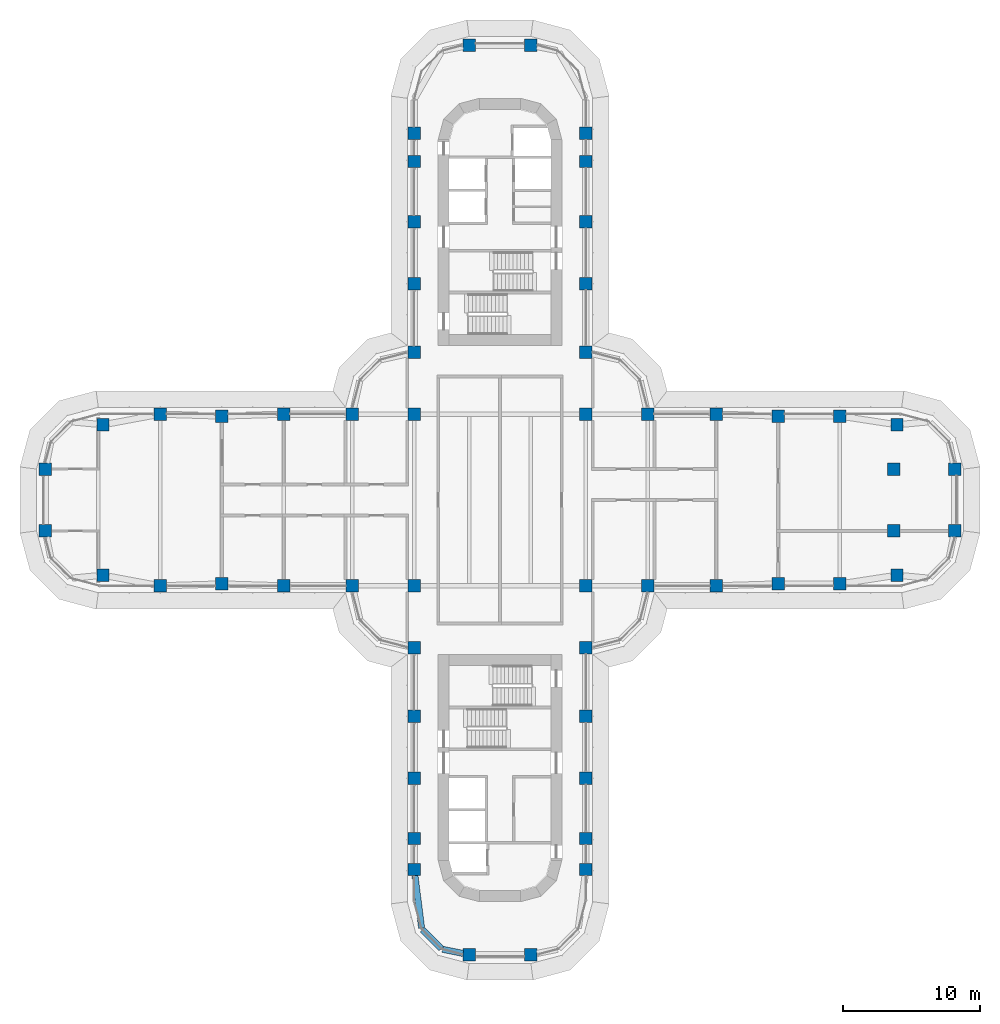
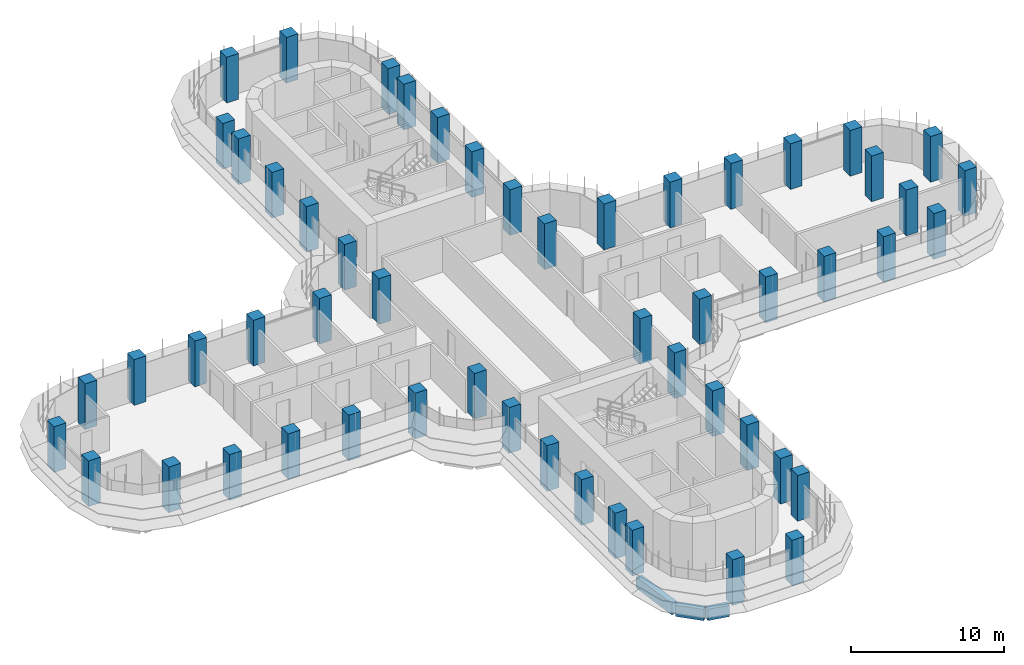
# One storey, part 1 of 23: 54 columns, 3 beams.
"""IFC4 building model written with IfcOpenShell, lengths in metres."""

from ifc_helpers import new_model, si_unit, direction, frame, origin, origin_2d, place, context, subcontext, project, spatial, rectangle, extrude, material, material_profile, profile_set, type_object, element, save


model = new_model("IFC4")

# Units and contexts
model_context = context("Model", 3, precision=1e-05, world=origin(), true_north=direction((0.0, 1.0)))
body_context = subcontext(model_context, "Body", "Model", "MODEL_VIEW")
ifc_project = project(units=[si_unit("LENGTHUNIT", "METRE"), si_unit("AREAUNIT", "SQUARE_METRE"), si_unit("VOLUMEUNIT", "CUBIC_METRE"), si_unit("PLANEANGLEUNIT", "RADIAN"), si_unit("MASSUNIT", "GRAM", prefix="KILO")], contexts=[model_context])

# Site, building, storey
site_placement = place(None, origin())
site = spatial("IfcSite", under=ifc_project, at=site_placement, CompositionType="ELEMENT")
building_placement = place(site_placement, origin())
building = spatial("IfcBuilding", under=site, at=building_placement, Name="Zarbagh Exchange Tower", CompositionType="ELEMENT")
storey_placement = place(building_placement, frame((0.0, 0.0, 86.60009765625)))
storey = spatial("IfcBuildingStorey", under=building, at=storey_placement, Name="L19", CompositionType="ELEMENT", Elevation=86.60009765625)

# Columns
ifc_material = material(Name="Concrete C60/75", Category="concrete")
ifc_material_profile_1 = material_profile(ifc_material, rectangle(XDim=0.89990234375, YDim=0.89990234375, at=origin_2d()), Name="RC column 900 x 900 C60/75")
ifc_profile_set_1 = profile_set([ifc_material_profile_1], Name="Concrete C60/75")
column_type = type_object("IfcColumnType", Name="RC column 900 x 900 C60/75", PredefinedType="COLUMN", material=ifc_profile_set_1)
for number, where, z_axis, x_axis, name in (
    (1, (-33.110107421875, -2.25, 0.0), (0.0, 0.0, 1.0), (1.0, 0.0, 0.0), "C3 10/S"),
    (2, (-33.110107421875, 2.25, 0.0), (0.0, 0.0, 1.0), (1.0, 0.0, 0.0), "C3 10/T"),
    (3, (-28.907958984375, -5.47509765625, 0.0), (0.0, 0.0, 1.0), (1.0, 0.0, 0.0), "C3 11/R"),
    (4, (-28.907958984375, 5.47509765625, 0.0), (0.0, 0.0, 1.0), (1.0, 0.0, 0.0), "C3 11/U"),
    (5, (-24.75, -6.25, 0.0), (0.0, 0.0, 1.0), (1.0, 0.0, 0.0), "C3 12/R"),
    (6, (-24.75, 6.25, 0.0), (0.0, 0.0, 1.0), (1.0, 0.0, 0.0), "C3 12/U"),
    (7, (-20.25, -6.110107421875, 0.0), (0.0, 0.0, 1.0), (1.0, 0.0, 0.0), "C3 13/R"),
    (8, (-20.25, 6.110107421875, 0.0), (0.0, 0.0, 1.0), (1.0, 0.0, 0.0), "C3 13/U"),
    (9, (-15.75, -6.25, 0.0), (0.0, 0.0, 1.0), (1.0, 0.0, 0.0), "C3 14/R"),
    (10, (-15.75, 6.25, 0.0), (0.0, 0.0, 1.0), (1.0, 0.0, 0.0), "C3 14/U"),
    (11, (-10.75, -6.25, 0.0), (0.0, 0.0, 1.0), (1.0, 0.0, 0.0), "C3 15/R"),
    (12, (-10.75, 6.25, 0.0), (0.0, 0.0, 1.0), (1.0, 0.0, 0.0), "C3 15/U"),
    (13, (-6.25, -26.89990234375, 0.0), (0.0, 0.0, 1.0), (1.0, 0.0, 0.0), "C3 16/L"),
    (14, (-6.25, -24.64990234375, 0.0), (0.0, 0.0, 1.0), (1.0, 0.0, 0.0), "C3 16/M"),
    (15, (-6.25, -20.25, 0.0), (0.0, 0.0, 1.0), (1.0, 0.0, 0.0), "C3 16/N"),
    (16, (-6.25, -15.75, 0.0), (0.0, 0.0, 1.0), (1.0, 0.0, 0.0), "C3 16/P"),
    (17, (-6.25, -10.75, 0.0), (0.0, 0.0, 1.0), (1.0, 0.0, 0.0), "C3 16/Q"),
    (18, (-6.25, -6.25, 0.0), (0.0, 0.0, 1.0), (1.0, 0.0, 0.0), "C3 16/R"),
    (19, (-6.25, 6.25, 0.0), (0.0, 0.0, 1.0), (1.0, 0.0, 0.0), "C3 16/U"),
    (20, (-6.25, 10.75, 0.0), (0.0, 0.0, 1.0), (1.0, 0.0, 0.0), "C3 16/V"),
    (21, (-6.25, 15.75, 0.0), (0.0, 0.0, 1.0), (1.0, 0.0, 0.0), "C3 16/W"),
    (22, (-6.25, 20.25, 0.0), (0.0, 0.0, 1.0), (1.0, 0.0, 0.0), "C3 16/X"),
    (23, (-6.25, 24.64990234375, 0.0), (0.0, 0.0, 1.0), (1.0, 0.0, 0.0), "C3 16/Y"),
    (24, (-6.25, 26.699951171875, 0.0), (0.0, 0.0, 1.0), (1.0, 0.0, 0.0), "C3 16/Z"),
    (25, (-2.25, -33.110107421875, 0.0), (0.0, 0.0, 1.0), (1.0, 0.0, 0.0), "C3 17/K"),
    (26, (-2.25, 33.110107421875, 0.0), (0.0, 0.0, 1.0), (1.0, 0.0, 0.0), "C3 17/AA"),
    (27, (2.25, -33.110107421875, 0.0), (0.0, 0.0, 1.0), (1.0, 0.0, 0.0), "C3 18/K"),
    (28, (2.25, 33.110107421875, 0.0), (0.0, 0.0, 1.0), (1.0, 0.0, 0.0), "C3 18/AA"),
    (29, (6.25, -26.89990234375, 0.0), (0.0, 0.0, 1.0), (1.0, 0.0, 0.0), "C3 19/L"),
    (30, (6.25, -24.64990234375, 0.0), (0.0, 0.0, 1.0), (1.0, 0.0, 0.0), "C3 19/M"),
    (31, (6.25, -20.25, 0.0), (0.0, 0.0, 1.0), (1.0, 0.0, 0.0), "C3 19/N"),
    (32, (6.25, -15.75, 0.0), (0.0, 0.0, 1.0), (1.0, 0.0, 0.0), "C3 19/P"),
    (33, (6.25, -10.75, 0.0), (0.0, 0.0, 1.0), (1.0, 0.0, 0.0), "C3 19/Q"),
    (34, (6.25, -6.25, 0.0), (0.0, 0.0, 1.0), (1.0, 0.0, 0.0), "C3 19/R"),
    (35, (6.25, 6.25, 0.0), (0.0, 0.0, 1.0), (1.0, 0.0, 0.0), "C3 19/U"),
    (36, (6.25, 10.75, 0.0), (0.0, 0.0, 1.0), (1.0, 0.0, 0.0), "C3 19/V"),
    (37, (6.25, 15.75, 0.0), (0.0, 0.0, 1.0), (1.0, 0.0, 0.0), "C3 19/W"),
    (38, (6.25, 20.25, 0.0), (0.0, 0.0, 1.0), (1.0, 0.0, 0.0), "C3 19/X"),
    (39, (6.25, 24.64990234375, 0.0), (0.0, 0.0, 1.0), (1.0, 0.0, 0.0), "C3 19/Y"),
    (40, (6.25, 26.699951171875, 0.0), (0.0, 0.0, 1.0), (1.0, 0.0, 0.0), "C3 19/Z"),
    (41, (10.75, -6.25, 0.0), (0.0, 0.0, 1.0), (1.0, 0.0, 0.0), "C3 20/R"),
    (42, (10.75, 6.25, 0.0), (0.0, 0.0, 1.0), (1.0, 0.0, 0.0), "C3 20/U"),
    (43, (15.75, -6.25, 0.0), (0.0, 0.0, 1.0), (1.0, 0.0, 0.0), "C3 21/R"),
    (44, (15.75, 6.25, 0.0), (0.0, 0.0, 1.0), (1.0, 0.0, 0.0), "C3 21/U"),
    (45, (20.25, -6.110107421875, 0.0), (0.0, 0.0, 1.0), (1.0, 0.0, 0.0), "C3 22/R"),
    (46, (20.25, 6.110107421875, 0.0), (0.0, 0.0, 1.0), (1.0, 0.0, 0.0), "C3 22/U"),
    (47, (24.75, -6.110107421875, 0.0), (0.0, 0.0, 1.0), (1.0, 0.0, 0.0), "C3 23/R"),
    (48, (24.75, 6.110107421875, 0.0), (0.0, 0.0, 1.0), (1.0, 0.0, 0.0), "C3 23/U"),
    (49, (28.907958984375, -5.47509765625, 0.0), (0.0, 0.0, 1.0), (1.0, 0.0, 0.0), "C3 24/R"),
    (50, (28.669921875, -2.25, 0.0), (0.0, 0.0, 1.0), (1.0, 0.0, 0.0), "C3 24/S"),
    (51, (28.669921875, 2.25, 0.0), (0.0, 0.0, 1.0), (1.0, 0.0, 0.0), "C3 24/T"),
    (52, (28.907958984375, 5.47509765625, 0.0), (0.0, 0.0, 1.0), (1.0, 0.0, 0.0), "C3 24/U"),
    (53, (33.110107421875, -2.25, 0.0), (0.0, 0.0, 1.0), (1.0, 0.0, 0.0), "C3 25/S"),
    (54, (33.110107421875, 2.25, 0.0), (0.0, 0.0, 1.0), (1.0, 0.0, 0.0), "C3 25/T"),
):
    element("IfcColumn", number, at=place(storey_placement, frame(where, z_axis=z_axis, x_axis=x_axis)), inside=storey, type_object=column_type, Name=name, PredefinedType="COLUMN", context=body_context, shape_type="SweptSolid", body=[
        extrude(rectangle(XDim=0.89990234375, YDim=0.89990234375, at=origin_2d()), origin(), (0.0, 0.0, 1.0), 3.64990234375),
    ])

# Beams
ifc_material_profile_2 = material_profile(ifc_material, rectangle(XDim=0.449951171875, YDim=0.89990234375, at=origin_2d()), Name="RC spandrel beam 450 x 900 C60/75")
ifc_profile_set_2 = profile_set([ifc_material_profile_2], Name="Concrete C60/75")
beam_type = type_object("IfcBeamType", Name="RC spandrel beam 450 x 900 C60/75", PredefinedType="SPANDREL", material=ifc_profile_set_2)
beam_1_placement = place(storey_placement, frame((-2.690673828125, -33.01904296875, -0.60009765625), z_axis=(-0.979328675816, 0.202275417995, 0.0), x_axis=(-0.202275417995, -0.979328675816, 0.0)))
element("IfcBeam", 55, at=beam_1_placement, inside=storey, type_object=beam_type, Name="RC spandrel beam", PredefinedType="SPANDREL", context=body_context, shape_type="SweptSolid", body=[
    extrude(rectangle(XDim=0.449951171875, YDim=0.89990234375, at=origin_2d()), origin(), (0.0, 0.0, 1.0), 1.515869140625),
])
beam_2_placement = place(storey_placement, frame((-4.288818359375, -32.651123046875, -0.60009765625), z_axis=(-0.707106781187, 0.707106781187, 0.0), x_axis=(-0.707106781187, -0.707106781187, 0.0)))
element("IfcBeam", 56, at=beam_2_placement, inside=storey, type_object=beam_type, Name="RC spandrel beam", PredefinedType="SPANDREL", context=body_context, shape_type="SweptSolid", body=[
    extrude(rectangle(XDim=0.449951171875, YDim=0.89990234375, at=origin_2d()), origin(), (0.0, 0.0, 1.0), 1.9169921875),
])
beam_3_placement = place(storey_placement, frame((-5.70849609375, -31.164794921875, -0.60009765625), z_axis=(-0.12597055537, 0.992033980859, 0.0), x_axis=(-0.992033980859, -0.12597055537, 0.0)))
element("IfcBeam", 57, at=beam_3_placement, inside=storey, type_object=beam_type, Name="RC spandrel beam", PredefinedType="SPANDREL", context=body_context, shape_type="SweptSolid", body=[
    extrude(rectangle(XDim=0.449951171875, YDim=0.89990234375, at=origin_2d()), origin(), (0.0, 0.0, 1.0), 3.84912109375),
])

save(model, "model.ifc")
